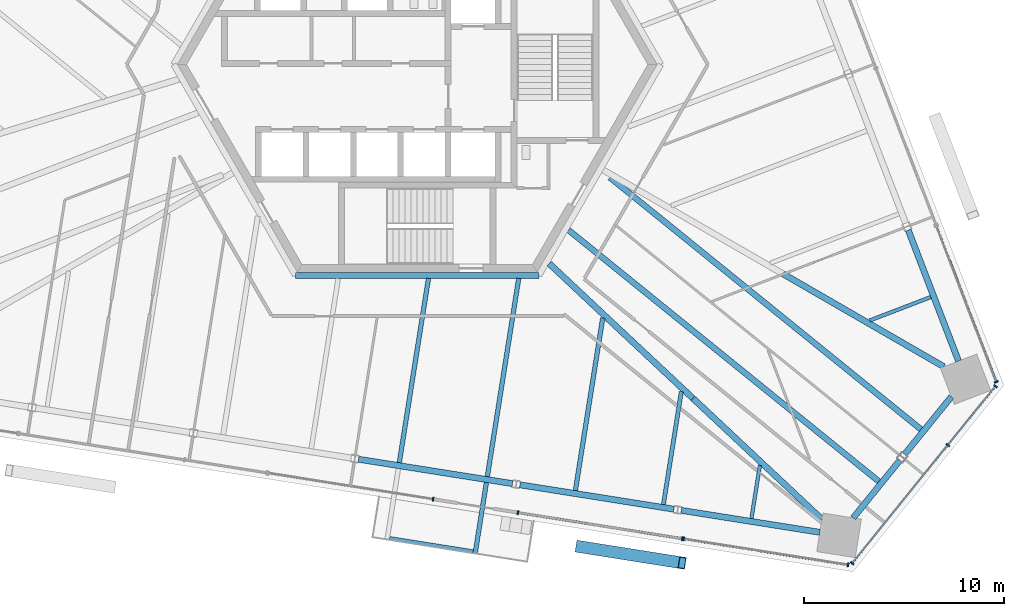
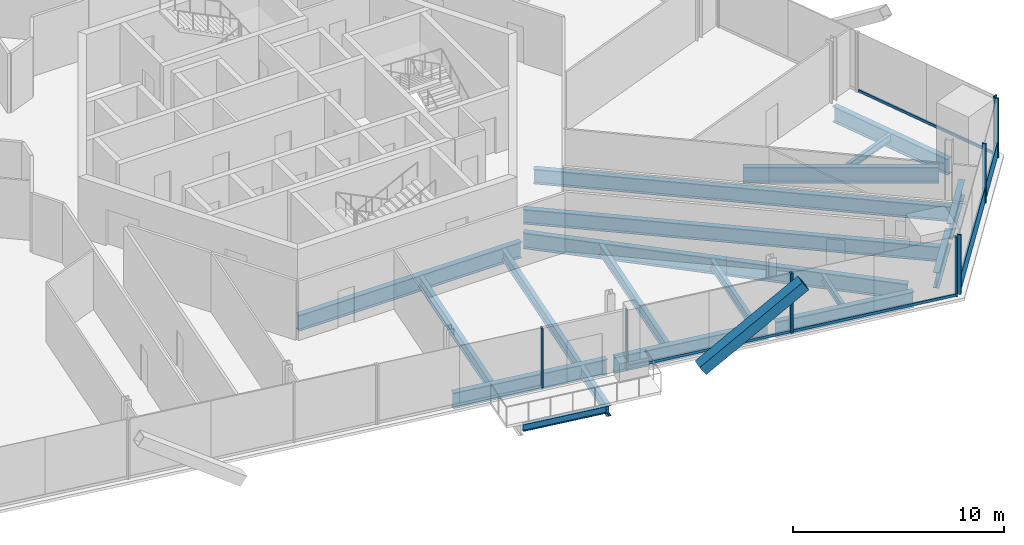
# One storey, part 6 of 19: 20 beams, 15 members, 5 elements without a shape of their own.
"""IFC4 building model written with IfcOpenShell, lengths in metres."""

from ifc_helpers import new_model, si_unit, direction, frame, origin, origin_2d, place, context, subcontext, project, spatial, rectangle, hollow_rectangle, i_section, extrude, source, transform, mapped, material, material_profile, profile_set, type_object, element, aggregate, save


model = new_model("IFC4")

# Units and contexts
model_context = context("Model", 3, precision=1e-05, world=origin(), true_north=direction((0.0, 1.0)))
body_context = subcontext(model_context, "Body", "Model", "MODEL_VIEW")
ifc_project = project(units=[si_unit("LENGTHUNIT", "METRE"), si_unit("AREAUNIT", "SQUARE_METRE"), si_unit("VOLUMEUNIT", "CUBIC_METRE"), si_unit("PLANEANGLEUNIT", "RADIAN"), si_unit("MASSUNIT", "GRAM", prefix="KILO")], contexts=[model_context])

# Site, building, storey
site_placement = place(None, origin())
site = spatial("IfcSite", under=ifc_project, at=site_placement, CompositionType="ELEMENT")
building_placement = place(site_placement, origin())
building = spatial("IfcBuilding", under=site, at=building_placement, Name="Triune Harvest Tower", CompositionType="ELEMENT")
storey_placement = place(building_placement, frame((0.0, 0.0, 164.10009765625)))
storey = spatial("IfcBuildingStorey", under=building, at=storey_placement, Name="L42", CompositionType="ELEMENT", Elevation=164.10009765625)

# Curtain wall, member
ifc_material_1 = material(Name="Aluminium bronze anodised", Category="aluminium")
curtain_wall_type_1 = type_object("IfcCurtainWallType", Name="CW-6 Balcony window wall", PredefinedType="NOTDEFINED", material=ifc_material_1)
curtain_wall_1_placement = place(storey_placement, origin())
curtain_wall_1 = element("IfcCurtainWall", 1, at=curtain_wall_1_placement, inside=storey, type_object=curtain_wall_type_1, Name="CW-6 B4-F1 L42 run 1")
ifc_material_2 = material(Name="Aluminium bronze anodised", Category="aluminium")
ifc_material_profile_1 = material_profile(ifc_material_2, rectangle(XDim=0.090087890625, YDim=0.14990234375, at=origin_2d()), Name="TR-6 transom 90 x 150")
ifc_profile_set_1 = profile_set([ifc_material_profile_1], Name="Aluminium bronze anodised")
member_type_1 = type_object("IfcMemberType", Name="TR-6 transom 90 x 150", PredefinedType="USERDEFINED", material=ifc_profile_set_1)
member_1_placement = place(storey_placement, frame((28.94970703125, -15.839111328125, 0.074951171875), z_axis=(-0.358369438744, 0.933579854846, 0.0), x_axis=(-0.933579854846, -0.358369438744, 0.0)))
member_1 = element("IfcMember", 2, at=member_1_placement, type_object=member_type_1, Name="CW-6 transom B4-F1 1.1", ObjectType="TRANSOM", PredefinedType="USERDEFINED", context=body_context, shape_type="SweptSolid", body=[
    extrude(rectangle(XDim=0.090087890625, YDim=0.14990234375, at=origin_2d()), origin(), (0.0, 0.0, 1.0), 8.266357421875),
])

# Beams
ifc_material_3 = material(Name="Steel ASTM A992 Gr 50", Category="steel")
ifc_material_profile_2 = material_profile(ifc_material_3, i_section(OverallWidth=0.3046875, OverallDepth=0.914306640625, WebThickness=0.0166015625, FlangeThickness=0.02587890625, at=origin_2d()), Name="W36x160")
ifc_profile_set_2 = profile_set([ifc_material_profile_2], Name="Steel ASTM A992 Gr 50")
beam_type_1 = type_object("IfcBeamType", Name="CG-1 Core ring girder W36x160", PredefinedType="BEAM", material=ifc_profile_set_2)
shared_shape_1 = source(origin(), body_context, "Body", "SweptSolid", [
    extrude(i_section(OverallWidth=0.3046875, OverallDepth=0.914306640625, WebThickness=0.0166015625, FlangeThickness=0.02587890625, at=origin_2d()), origin(), (0.0, 0.0, 1.0), 12.17578125),
])
beam_1_placement = place(storey_placement, frame((-6.087890625, -10.544677734375, -0.6171875), z_axis=(1.0, 0.0, 0.0), x_axis=(0.0, 1.0, 0.0)))
element("IfcBeam", 3, at=beam_1_placement, inside=storey, type_object=beam_type_1, Name="beam/L42/CG5", PredefinedType="BEAM", context=body_context, shape_type="MappedRepresentation", body=[
    mapped(shared_shape_1, transform((0.0, 0.0, 0.0), scale=1.0)),
])
ifc_material_4 = material(Name="Steel ASTM A992 Gr 50", Category="steel")
ifc_material_profile_3 = material_profile(ifc_material_4, i_section(OverallWidth=0.307373046875, OverallDepth=0.922119140625, WebThickness=0.018310546875, FlangeThickness=0.030029296875, at=origin_2d()), Name="W36x182")
ifc_profile_set_3 = profile_set([ifc_material_profile_3], Name="Steel ASTM A992 Gr 50")
beam_type_2 = type_object("IfcBeamType", Name="HG-2 Hip girder W36x182", PredefinedType="BEAM", material=ifc_profile_set_3)
shared_shape_2 = source(origin(), body_context, "Body", "SweptSolid", [
    extrude(i_section(OverallWidth=0.307373046875, OverallDepth=0.922119140625, WebThickness=0.018310546875, FlangeThickness=0.030029296875, at=origin_2d()), origin(), (0.0, 0.0, 1.0), 9.85888671875),
])
beam_2_placement = place(storey_placement, frame((13.794189453125, -16.702392578125, -0.62109375), z_axis=(-0.729486233367, 0.683995493646, 0.0), x_axis=(-0.683995493646, -0.729486233367, 0.0)))
element("IfcBeam", 4, at=beam_2_placement, inside=storey, type_object=beam_type_2, Name="beam/L42/HG8", PredefinedType="BEAM", context=body_context, shape_type="MappedRepresentation", body=[
    mapped(shared_shape_2, transform((0.0, 0.0, 0.0), scale=1.0)),
])
ifc_material_5 = material(Name="Steel ASTM A992 Gr 50", Category="steel")
ifc_material_profile_4 = material_profile(ifc_material_5, i_section(OverallWidth=0.3046875, OverallDepth=0.914306640625, WebThickness=0.0166015625, FlangeThickness=0.02587890625, at=origin_2d()), Name="W36x160")
ifc_profile_set_4 = profile_set([ifc_material_profile_4], Name="Steel ASTM A992 Gr 50")
beam_type_3 = type_object("IfcBeamType", Name="SB-1 Spandrel beam W36x160", PredefinedType="SPANDREL", material=ifc_profile_set_4)
shared_shape_3 = source(origin(), body_context, "Body", "SweptSolid", [
    extrude(i_section(OverallWidth=0.3046875, OverallDepth=0.914306640625, WebThickness=0.0166015625, FlangeThickness=0.02587890625, at=origin_2d()), origin(), (0.0, 0.0, 1.0), 7.013427734375),
])
for number, where, z_axis, x_axis, name in (
    (5, (27.07568359375, -14.832275390625, -0.6171875), (-0.358372513984, 0.93357867436, 0.0), (-0.93357867436, -0.358372513984, 0.0), "beam/L42/SB1"),
    (6, (13.210205078125, -22.302978515625, -0.6171875), (0.987687489289, -0.156439839878, 0.0), (0.156439839878, 0.987687489289, 0.0), "beam/L42/SB22"),
):
    element("IfcBeam", number, at=place(storey_placement, frame(where, z_axis=z_axis, x_axis=x_axis)), inside=storey, type_object=beam_type_3, Name=name, PredefinedType="SPANDREL", context=body_context, shape_type="MappedRepresentation", body=[
        mapped(shared_shape_3, transform((0.0, 0.0, 0.0), scale=1.0)),
    ])
shared_shape_4 = source(origin(), body_context, "Body", "SweptSolid", [
    extrude(i_section(OverallWidth=0.3046875, OverallDepth=0.914306640625, WebThickness=0.0166015625, FlangeThickness=0.02587890625, at=origin_2d()), origin(), (0.0, 0.0, 1.0), 3.71240234375),
])
beam_3_placement = place(storey_placement, frame((21.808837890625, -22.677734375, -0.6171875), z_axis=(0.629351453127, 0.777120806855, 0.0), x_axis=(-0.777120806855, 0.629351453127, 0.0)))
element("IfcBeam", 7, at=beam_3_placement, inside=storey, type_object=beam_type_3, Name="beam/L42/SB23", PredefinedType="SPANDREL", context=body_context, shape_type="MappedRepresentation", body=[
    mapped(shared_shape_4, transform((0.0, 0.0, 0.0), scale=1.0)),
])
shared_shape_5 = source(origin(), body_context, "Body", "SweptSolid", [
    extrude(i_section(OverallWidth=0.3046875, OverallDepth=0.914306640625, WebThickness=0.0166015625, FlangeThickness=0.02587890625, at=origin_2d()), origin(), (0.0, 0.0, 1.0), 7.801513671875),
])
beam_4_placement = place(storey_placement, frame((5.135986328125, -21.024169921875, -0.6171875), z_axis=(0.98768800071, -0.156436610974, 0.0), x_axis=(0.156436610974, 0.98768800071, 0.0)))
element("IfcBeam", 8, at=beam_4_placement, inside=storey, type_object=beam_type_3, Name="beam/L42/SB21", PredefinedType="SPANDREL", context=body_context, shape_type="MappedRepresentation", body=[
    mapped(shared_shape_5, transform((0.0, 0.0, 0.0), scale=1.0)),
])
shared_shape_6 = source(origin(), body_context, "Body", "SweptSolid", [
    extrude(i_section(OverallWidth=0.3046875, OverallDepth=0.914306640625, WebThickness=0.0166015625, FlangeThickness=0.02587890625, at=origin_2d()), origin(), (0.0, 0.0, 1.0), 3.712646484375),
])
beam_5_placement = place(storey_placement, frame((24.380126953125, -19.50244140625, -0.6171875), z_axis=(0.629319290748, 0.777146852462, 0.0), x_axis=(-0.777146852462, 0.629319290748, 0.0)))
element("IfcBeam", 9, at=beam_5_placement, inside=storey, type_object=beam_type_3, Name="beam/L42/SB24", PredefinedType="SPANDREL", context=body_context, shape_type="MappedRepresentation", body=[
    mapped(shared_shape_6, transform((0.0, 0.0, 0.0), scale=1.0)),
])
shared_shape_7 = source(origin(), body_context, "Body", "SweptSolid", [
    extrude(i_section(OverallWidth=0.3046875, OverallDepth=0.914306640625, WebThickness=0.0166015625, FlangeThickness=0.02587890625, at=origin_2d()), origin(), (0.0, 0.0, 1.0), 7.80126953125),
])
beam_6_placement = place(storey_placement, frame((-2.938232421875, -19.745361328125, -0.6171875), z_axis=(0.987687234845, -0.15644144631, 0.0), x_axis=(0.15644144631, 0.987687234845, 0.0)))
element("IfcBeam", 10, at=beam_6_placement, inside=storey, type_object=beam_type_3, Name="beam/L42/SB20", PredefinedType="SPANDREL", context=body_context, shape_type="MappedRepresentation", body=[
    mapped(shared_shape_7, transform((0.0, 0.0, 0.0), scale=1.0)),
])
shared_shape_8 = source(origin(), body_context, "Body", "SweptSolid", [
    extrude(i_section(OverallWidth=0.307373046875, OverallDepth=0.922119140625, WebThickness=0.018310546875, FlangeThickness=0.030029296875, at=origin_2d()), origin(), (0.0, 0.0, 1.0), 9.28369140625),
])
beam_7_placement = place(storey_placement, frame((26.33837890625, -15.114990234375, -0.62109375), z_axis=(-0.86602880926, 0.499994101496, 0.0), x_axis=(-0.499994101496, -0.86602880926, 0.0)))
element("IfcBeam", 11, at=beam_7_placement, inside=storey, type_object=beam_type_2, Name="beam/L42/HG1", PredefinedType="BEAM", context=body_context, shape_type="MappedRepresentation", body=[
    mapped(shared_shape_8, transform((0.0, 0.0, 0.0), scale=1.0)),
])
shared_shape_9 = source(origin(), body_context, "Body", "SweptSolid", [
    extrude(i_section(OverallWidth=0.307373046875, OverallDepth=0.922119140625, WebThickness=0.018310546875, FlangeThickness=0.030029296875, at=origin_2d()), origin(), (0.0, 0.0, 1.0), 8.8369140625),
])
beam_8_placement = place(storey_placement, frame((20.24072265625, -22.746826171875, -0.62109375), z_axis=(-0.729491540387, 0.683989833626, 0.0), x_axis=(-0.683989833626, -0.729491540387, 0.0)))
element("IfcBeam", 12, at=beam_8_placement, inside=storey, type_object=beam_type_2, Name="beam/L42/HG7", PredefinedType="BEAM", context=body_context, shape_type="MappedRepresentation", body=[
    mapped(shared_shape_9, transform((0.0, 0.0, 0.0), scale=1.0)),
])
ifc_material_6 = material(Name="Steel ASTM A992 Gr 50", Category="steel")
ifc_material_profile_5 = material_profile(ifc_material_6, i_section(OverallWidth=0.180908203125, OverallDepth=0.41650390625, WebThickness=0.010986328125, FlangeThickness=0.01806640625, at=origin_2d()), Name="W16x57")
ifc_profile_set_5 = profile_set([ifc_material_profile_5], Name="Steel ASTM A992 Gr 50")
beam_type_4 = type_object("IfcBeamType", Name="JT-1 Floor joist W16x57", PredefinedType="JOIST", material=ifc_profile_set_5)
shared_shape_10 = source(origin(), body_context, "Body", "SweptSolid", [
    extrude(i_section(OverallWidth=0.180908203125, OverallDepth=0.41650390625, WebThickness=0.010986328125, FlangeThickness=0.01806640625, at=origin_2d()), origin(), (0.0, 0.0, 1.0), 3.260986328125),
])
beam_9_placement = place(storey_placement, frame((25.684814453125, -11.634033203125, -0.368408203125), z_axis=(-0.933600075775, -0.35831675723, 0.0), x_axis=(0.35831675723, -0.933600075775, 0.0)))
element("IfcBeam", 13, at=beam_9_placement, inside=storey, type_object=beam_type_4, Name="beam/L42/JT1", PredefinedType="JOIST", context=body_context, shape_type="MappedRepresentation", body=[
    mapped(shared_shape_10, transform((0.0, 0.0, 0.0), scale=1.0)),
])
ifc_material_7 = material(Name="Steel ASTM A992 Gr 50", Category="steel")
ifc_material_profile_6 = material_profile(ifc_material_7, i_section(OverallWidth=0.2919921875, OverallDepth=0.8583984375, WebThickness=0.01708984375, FlangeThickness=0.031005859375, at=origin_2d()), Name="W33x169")
ifc_profile_set_6 = profile_set([ifc_material_profile_6], Name="Steel ASTM A992 Gr 50")
beam_type_5 = type_object("IfcBeamType", Name="JT-7 Floor joist W33x169", PredefinedType="JOIST", material=ifc_profile_set_6)
shared_shape_11 = source(origin(), body_context, "Body", "SweptSolid", [
    extrude(i_section(OverallWidth=0.2919921875, OverallDepth=0.8583984375, WebThickness=0.01708984375, FlangeThickness=0.031005859375, at=origin_2d()), origin(), (0.0, 0.0, 1.0), 19.97216796875),
])
beam_10_placement = place(storey_placement, frame((23.090087890625, -20.853515625, -0.58935546875), z_axis=(-0.777140102023, 0.629327626779, 0.0), x_axis=(-0.629327626779, -0.777140102023, 0.0)))
element("IfcBeam", 14, at=beam_10_placement, inside=storey, type_object=beam_type_5, Name="beam/L42/JT35", PredefinedType="JOIST", context=body_context, shape_type="MappedRepresentation", body=[
    mapped(shared_shape_11, transform((0.0, 0.0, 0.0), scale=1.0)),
])
shared_shape_12 = source(origin(), body_context, "Body", "SweptSolid", [
    extrude(i_section(OverallWidth=0.2919921875, OverallDepth=0.8583984375, WebThickness=0.01708984375, FlangeThickness=0.031005859375, at=origin_2d()), origin(), (0.0, 0.0, 1.0), 20.01611328125),
])
beam_11_placement = place(storey_placement, frame((25.198486328125, -18.25, -0.58935546875), z_axis=(-0.777142320664, 0.629324887028, 0.0), x_axis=(-0.629324887028, -0.777142320664, 0.0)))
element("IfcBeam", 15, at=beam_11_placement, inside=storey, type_object=beam_type_5, Name="beam/L42/JT36", PredefinedType="JOIST", context=body_context, shape_type="MappedRepresentation", body=[
    mapped(shared_shape_12, transform((0.0, 0.0, 0.0), scale=1.0)),
])
ifc_material_8 = material(Name="Steel ASTM A992 Gr 50", Category="steel")
ifc_material_profile_7 = material_profile(ifc_material_8, i_section(OverallWidth=0.22900390625, OverallDepth=0.612060546875, WebThickness=0.011962890625, FlangeThickness=0.01953125, at=origin_2d()), Name="W24x84")
ifc_profile_set_7 = profile_set([ifc_material_profile_7], Name="Steel ASTM A992 Gr 50")
beam_type_6 = type_object("IfcBeamType", Name="JT-3 Floor joist W24x84", PredefinedType="JOIST", material=ifc_profile_set_7)
shared_shape_13 = source(origin(), body_context, "Body", "SweptSolid", [
    extrude(i_section(OverallWidth=0.22900390625, OverallDepth=0.612060546875, WebThickness=0.011962890625, FlangeThickness=0.01953125, at=origin_2d()), origin(), (0.0, 0.0, 1.0), 9.332275390625),
])
beam_12_placement = place(storey_placement, frame((-0.896728515625, -19.914306640625, -0.46630859375), z_axis=(0.156417974358, 0.987690952321, 0.0), x_axis=(-0.987690952321, 0.156417974358, 0.0)))
element("IfcBeam", 16, at=beam_12_placement, inside=storey, type_object=beam_type_6, Name="beam/L42/JT30", PredefinedType="JOIST", context=body_context, shape_type="MappedRepresentation", body=[
    mapped(shared_shape_13, transform((0.0, 0.0, 0.0), scale=1.0)),
])
shared_shape_14 = source(origin(), body_context, "Body", "SweptSolid", [
    extrude(i_section(OverallWidth=0.22900390625, OverallDepth=0.612060546875, WebThickness=0.011962890625, FlangeThickness=0.01953125, at=origin_2d()), origin(), (0.0, 0.0, 1.0), 10.03857421875),
])
beam_13_placement = place(storey_placement, frame((3.50732421875, -20.612060546875, -0.46630859375), z_axis=(0.156427136615, 0.987689501276, 0.0), x_axis=(-0.987689501276, 0.156427136615, 0.0)))
element("IfcBeam", 17, at=beam_13_placement, inside=storey, type_object=beam_type_6, Name="beam/L42/JT31", PredefinedType="JOIST", context=body_context, shape_type="MappedRepresentation", body=[
    mapped(shared_shape_14, transform((0.0, 0.0, 0.0), scale=1.0)),
])
shared_shape_15 = source(origin(), body_context, "Body", "SweptSolid", [
    extrude(i_section(OverallWidth=0.22900390625, OverallDepth=0.612060546875, WebThickness=0.011962890625, FlangeThickness=0.01953125, at=origin_2d()), origin(), (0.0, 0.0, 1.0), 8.73828125),
])
beam_14_placement = place(storey_placement, frame((7.91162109375, -21.3095703125, -0.46630859375), z_axis=(0.156433147227, 0.987688549315, 0.0), x_axis=(-0.987688549315, 0.156433147227, 0.0)))
element("IfcBeam", 18, at=beam_14_placement, inside=storey, type_object=beam_type_6, Name="beam/L42/JT32", PredefinedType="JOIST", context=body_context, shape_type="MappedRepresentation", body=[
    mapped(shared_shape_15, transform((0.0, 0.0, 0.0), scale=1.0)),
])
ifc_material_9 = material(Name="Steel ASTM A992 Gr 50", Category="steel")
ifc_material_profile_8 = material_profile(ifc_material_9, i_section(OverallWidth=0.2099609375, OverallDepth=0.535888671875, WebThickness=0.010986328125, FlangeThickness=0.017333984375, at=origin_2d()), Name="W21x68")
ifc_profile_set_8 = profile_set([ifc_material_profile_8], Name="Steel ASTM A992 Gr 50")
beam_type_7 = type_object("IfcBeamType", Name="JT-2 Floor joist W21x68", PredefinedType="JOIST", material=ifc_profile_set_8)
shared_shape_16 = source(origin(), body_context, "Body", "SweptSolid", [
    extrude(i_section(OverallWidth=0.2099609375, OverallDepth=0.535888671875, WebThickness=0.010986328125, FlangeThickness=0.017333984375, at=origin_2d()), origin(), (0.0, 0.0, 1.0), 5.712646484375),
])
beam_15_placement = place(storey_placement, frame((12.315673828125, -22.007080078125, -0.427978515625), z_axis=(0.156458528862, 0.98768452896, 0.0), x_axis=(-0.98768452896, 0.156458528862, 0.0)))
element("IfcBeam", 19, at=beam_15_placement, inside=storey, type_object=beam_type_7, Name="beam/L42/JT33", PredefinedType="JOIST", context=body_context, shape_type="MappedRepresentation", body=[
    mapped(shared_shape_16, transform((0.0, 0.0, 0.0), scale=1.0)),
])
shared_shape_17 = source(origin(), body_context, "Body", "SweptSolid", [
    extrude(i_section(OverallWidth=0.180908203125, OverallDepth=0.41650390625, WebThickness=0.010986328125, FlangeThickness=0.01806640625, at=origin_2d()), origin(), (0.0, 0.0, 1.0), 2.6875),
])
beam_16_placement = place(storey_placement, frame((16.719970703125, -22.70458984375, -0.368408203125), z_axis=(0.156438396813, 0.987687717856, 0.0), x_axis=(-0.987687717856, 0.156438396813, 0.0)))
element("IfcBeam", 20, at=beam_16_placement, inside=storey, type_object=beam_type_4, Name="beam/L42/JT34", PredefinedType="JOIST", context=body_context, shape_type="MappedRepresentation", body=[
    mapped(shared_shape_17, transform((0.0, 0.0, 0.0), scale=1.0)),
])

# Member
ifc_material_10 = material(Name="Steel ASTM A572 Gr 50", Category="steel")
ifc_material_profile_9 = material_profile(ifc_material_10, hollow_rectangle(XDim=0.60009765625, YDim=0.60009765625, WallThickness=0.0400390625, at=origin_2d()), Name="Box 600x600x40")
ifc_profile_set_9 = profile_set([ifc_material_profile_9], Name="Steel ASTM A572 Gr 50")
member_type_2 = type_object("IfcMemberType", Name="BR-2 Brace Box 600x600x40", PredefinedType="BRACE", material=ifc_profile_set_9)
shared_shape_18 = source(origin(), body_context, "Body", "SweptSolid", [
    extrude(hollow_rectangle(XDim=0.60009765625, YDim=0.60009765625, WallThickness=0.0400390625, at=origin_2d()), origin(), (0.0, 0.0, 1.0), 6.3291015625),
])
member_2_placement = place(storey_placement, frame((8.111083984375, -24.116455078125, 0.0), z_axis=(0.812370358073, -0.12864459374, 0.568774972925), x_axis=(0.156408097916, 0.987692516377, 0.0)))
element("IfcMember", 21, at=member_2_placement, inside=storey, type_object=member_type_2, Name="brace/B4-F5/d1/8", PredefinedType="BRACE", context=body_context, shape_type="MappedRepresentation", body=[
    mapped(shared_shape_18, transform((0.0, 0.0, 0.0), scale=1.0)),
])

# Curtain wall, members
ifc_material_11 = material(Name="Aluminium bronze anodised", Category="aluminium")
curtain_wall_type_2 = type_object("IfcCurtainWallType", Name="CW-1 Tower stick curtain wall", PredefinedType="NOTDEFINED", material=ifc_material_11)
curtain_wall_2_placement = place(storey_placement, origin())
curtain_wall_2 = element("IfcCurtainWall", 22, at=curtain_wall_2_placement, inside=storey, type_object=curtain_wall_type_2, Name="CW-1 B4-F6 L42 run 1")
ifc_material_12 = material(Name="Aluminium bronze anodised", Category="aluminium")
ifc_material_profile_10 = material_profile(ifc_material_12, rectangle(XDim=0.199951171875, YDim=0.074951171875, at=origin_2d()), Name="MU-1 mullion 75 x 200")
ifc_profile_set_10 = profile_set([ifc_material_profile_10], Name="Aluminium bronze anodised")
member_type_3 = type_object("IfcMemberType", Name="MU-1 mullion 75 x 200", PredefinedType="MULLION", material=ifc_profile_set_10)
shared_shape_19 = source(origin(), body_context, "Body", "SweptSolid", [
    extrude(rectangle(XDim=0.199951171875, YDim=0.074951171875, at=origin_2d()), origin(), (0.0, 0.0, 1.0), 3.43994140625),
])
member_3_placement = place(storey_placement, frame((21.755126953125, -24.95068359375, 0.0), z_axis=(0.0, 0.0, 1.0), x_axis=(-0.777145544932, 0.629320905414, 0.0)))
member_3 = element("IfcMember", 23, at=member_3_placement, type_object=member_type_3, Name="CW-1 mullion B4-F6 1.1", PredefinedType="MULLION", context=body_context, shape_type="MappedRepresentation", body=[
    mapped(shared_shape_19, transform((0.0, 0.0, 0.0), scale=1.0)),
])
member_4_placement = place(storey_placement, frame((26.54541015625, -19.035400390625, 0.0), z_axis=(0.0, 0.0, 1.0), x_axis=(-0.777145544932, 0.629320905414, 0.0)))
member_4 = element("IfcMember", 24, at=member_4_placement, type_object=member_type_3, Name="CW-1 mullion B4-F6 1.3", PredefinedType="MULLION", context=body_context, shape_type="MappedRepresentation", body=[
    mapped(shared_shape_19, transform((0.0, 0.0, 0.0), scale=1.0)),
])
member_5_placement = place(storey_placement, frame((28.9287109375, -16.09228515625, 0.0), z_axis=(0.0, 0.0, 1.0), x_axis=(-0.777145544932, 0.629320905414, 0.0)))
member_5 = element("IfcMember", 25, at=member_5_placement, type_object=member_type_3, Name="CW-1 mullion B4-F6 1.4", PredefinedType="MULLION", context=body_context, shape_type="MappedRepresentation", body=[
    mapped(shared_shape_19, transform((0.0, 0.0, 0.0), scale=1.0)),
])

# Member
ifc_material_13 = material(Name="Aluminium bronze anodised", Category="aluminium")
ifc_material_profile_11 = material_profile(ifc_material_13, rectangle(XDim=0.199951171875, YDim=0.074951171875, at=origin_2d()), Name="MU-6 mullion 75 x 200")
ifc_profile_set_11 = profile_set([ifc_material_profile_11], Name="Aluminium bronze anodised")
member_type_4 = type_object("IfcMemberType", Name="MU-6 mullion 75 x 200", PredefinedType="MULLION", material=ifc_profile_set_11)
shared_shape_20 = source(origin(), body_context, "Body", "SweptSolid", [
    extrude(rectangle(XDim=0.199951171875, YDim=0.074951171875, at=origin_2d()), origin(), (0.0, 0.0, 1.0), 3.43994140625),
])
member_6_placement = place(storey_placement, frame((28.963134765625, -15.874267578125, 0.0), z_axis=(0.0, 0.0, 1.0), x_axis=(-0.933578692183, -0.358372467556, 0.0)))
member_6 = element("IfcMember", 26, at=member_6_placement, type_object=member_type_4, Name="CW-6 mullion B4-F1 1.1", PredefinedType="MULLION", context=body_context, shape_type="MappedRepresentation", body=[
    mapped(shared_shape_20, transform((0.0, 0.0, 0.0), scale=1.0)),
])

aggregate(curtain_wall_1, [member_6, member_1])

# Curtain wall, member
curtain_wall_3_placement = place(storey_placement, origin())
curtain_wall_3 = element("IfcCurtainWall", 27, at=curtain_wall_3_placement, inside=storey, type_object=curtain_wall_type_1, Name="CW-6 B4-F5 L42 run 2001")
member_7_placement = place(storey_placement, frame((0.792236328125, -21.7421875, 0.0), z_axis=(0.0, 0.0, 1.0), x_axis=(0.156433162316, 0.987688546926, 0.0)))
member_7 = element("IfcMember", 28, at=member_7_placement, type_object=member_type_4, Name="CW-6 mullion B4-F5 2001.3", PredefinedType="MULLION", context=body_context, shape_type="MappedRepresentation", body=[
    mapped(shared_shape_20, transform((0.0, 0.0, 0.0), scale=1.0)),
])
aggregate(curtain_wall_3, [member_7])

# Curtain wall, members
ifc_material_14 = material(Name="Aluminium bronze anodised", Category="aluminium")
curtain_wall_type_3 = type_object("IfcCurtainWallType", Name="CW-10 Balcony window wall with insulated spandrel infill", PredefinedType="NOTDEFINED", material=ifc_material_14)
curtain_wall_4_placement = place(storey_placement, origin())
curtain_wall_4 = element("IfcCurtainWall", 29, at=curtain_wall_4_placement, inside=storey, type_object=curtain_wall_type_3, Name="CW-10 B4-F5 L42 run 2")
member_8_placement = place(storey_placement, frame((5.035400390625, -22.414306640625, 0.0), z_axis=(0.0, 0.0, 1.0), x_axis=(0.15643608021, 0.987688084776, 0.0)))
member_8 = element("IfcMember", 30, at=member_8_placement, type_object=member_type_4, Name="CW-10 mullion B4-F5 2.1", PredefinedType="MULLION", context=body_context, shape_type="MappedRepresentation", body=[
    mapped(shared_shape_20, transform((0.0, 0.0, 0.0), scale=1.0)),
])
member_9_placement = place(storey_placement, frame((13.255126953125, -23.71630859375, 0.0), z_axis=(0.0, 0.0, 1.0), x_axis=(0.15643608021, 0.987688084776, 0.0)))
member_9 = element("IfcMember", 31, at=member_9_placement, type_object=member_type_4, Name="CW-10 mullion B4-F5 2.3", PredefinedType="MULLION", context=body_context, shape_type="MappedRepresentation", body=[
    mapped(shared_shape_20, transform((0.0, 0.0, 0.0), scale=1.0)),
])

curtain_wall_5_placement = place(storey_placement, origin())
curtain_wall_5 = element("IfcCurtainWall", 32, at=curtain_wall_5_placement, inside=storey, type_object=curtain_wall_type_1, Name="CW-6 B4-F5 L42 run 1002")
member_10_placement = place(storey_placement, frame((13.329345703125, -23.72802734375, 0.0), z_axis=(0.0, 0.0, 1.0), x_axis=(0.156433868695, 0.987688435047, 0.0)))
member_10 = element("IfcMember", 33, at=member_10_placement, type_object=member_type_4, Name="CW-6 mullion B4-F5 1002.1", PredefinedType="MULLION", context=body_context, shape_type="MappedRepresentation", body=[
    mapped(shared_shape_20, transform((0.0, 0.0, 0.0), scale=1.0)),
])
member_11_placement = place(storey_placement, frame((21.549072265625, -25.02978515625, 0.0), z_axis=(0.0, 0.0, 1.0), x_axis=(0.156433868695, 0.987688435047, 0.0)))
member_11 = element("IfcMember", 34, at=member_11_placement, type_object=member_type_4, Name="CW-6 mullion B4-F5 1002.3", PredefinedType="MULLION", context=body_context, shape_type="MappedRepresentation", body=[
    mapped(shared_shape_20, transform((0.0, 0.0, 0.0), scale=1.0)),
])

# Beam
ifc_material_15 = material(Name="Steel ASTM A992 Gr 50", Category="steel")
ifc_material_profile_12 = material_profile(ifc_material_15, i_section(OverallWidth=0.22900390625, OverallDepth=0.612060546875, WebThickness=0.011962890625, FlangeThickness=0.01953125, at=origin_2d()), Name="W24x84")
ifc_profile_set_12 = profile_set([ifc_material_profile_12], Name="Steel ASTM A992 Gr 50")
beam_type_8 = type_object("IfcBeamType", Name="BJ-3 Balcony cantilever joist W24x84", PredefinedType="JOIST", material=ifc_profile_set_12)
shared_shape_21 = source(origin(), body_context, "Body", "SweptSolid", [
    extrude(i_section(OverallWidth=0.22900390625, OverallDepth=0.612060546875, WebThickness=0.011962890625, FlangeThickness=0.01953125, at=origin_2d()), origin(), (0.0, 0.0, 1.0), 3.597412109375),
])
beam_17_placement = place(storey_placement, frame((3.459716796875, -20.9130859375, -0.46630859375), z_axis=(-0.156426047682, -0.987689673737, 0.0), x_axis=(0.987689673737, -0.156426047682, 0.0)))
element("IfcBeam", 35, at=beam_17_placement, inside=storey, type_object=beam_type_8, Name="Balcony cantilever joist B4-F5 L42.8a", PredefinedType="JOIST", context=body_context, shape_type="MappedRepresentation", body=[
    mapped(shared_shape_21, transform((0.0, 0.0, 0.0), scale=1.0)),
])

# Member
ifc_material_16 = material(Name="Aluminium bronze anodised", Category="aluminium")
ifc_material_profile_13 = material_profile(ifc_material_16, rectangle(XDim=0.090087890625, YDim=0.89990234375, at=origin_2d()), Name="TR-1 transom 90 x 900")
ifc_profile_set_13 = profile_set([ifc_material_profile_13], Name="Aluminium bronze anodised")
member_type_5 = type_object("IfcMemberType", Name="TR-1 transom 90 x 900", PredefinedType="USERDEFINED", material=ifc_profile_set_13)
shared_shape_22 = source(origin(), body_context, "Body", "SweptSolid", [
    extrude(rectangle(XDim=0.090087890625, YDim=0.89990234375, at=origin_2d()), origin(), (0.0, 0.0, 1.0), 7.53662109375),
])
member_12_placement = place(storey_placement, frame((21.77880859375, -24.921630859375, 0.449951171875), z_axis=(0.629310046563, 0.777154338143, 0.0), x_axis=(-0.777154338143, 0.629310046563, 0.0)))
member_12 = element("IfcMember", 36, at=member_12_placement, type_object=member_type_5, Name="CW-1 transom B4-F6 1.1", ObjectType="TRANSOM", PredefinedType="USERDEFINED", context=body_context, shape_type="MappedRepresentation", body=[
    mapped(shared_shape_22, transform((0.0, 0.0, 0.0), scale=1.0)),
])

shared_shape_23 = source(origin(), body_context, "Body", "SweptSolid", [
    extrude(rectangle(XDim=0.090087890625, YDim=0.89990234375, at=origin_2d()), origin(), (0.0, 0.0, 1.0), 3.712158203125),
])
member_13_placement = place(storey_placement, frame((26.569091796875, -19.00634765625, 0.449951171875), z_axis=(0.629272012567, 0.777185135087, 0.0), x_axis=(-0.777185135087, 0.629272012567, 0.0)))
member_13 = element("IfcMember", 37, at=member_13_placement, type_object=member_type_5, Name="CW-1 transom B4-F6 1.2", ObjectType="TRANSOM", PredefinedType="USERDEFINED", context=body_context, shape_type="MappedRepresentation", body=[
    mapped(shared_shape_23, transform((0.0, 0.0, 0.0), scale=1.0)),
])

aggregate(curtain_wall_2, [member_3, member_4, member_5, member_12, member_13])

# Beam
ifc_material_17 = material(Name="Steel ASTM A992 Gr 50", Category="steel")
ifc_material_profile_14 = material_profile(ifc_material_17, i_section(OverallWidth=0.180908203125, OverallDepth=0.41650390625, WebThickness=0.010986328125, FlangeThickness=0.01806640625, at=origin_2d()), Name="W16x57")
ifc_profile_set_14 = profile_set([ifc_material_profile_14], Name="Steel ASTM A992 Gr 50")
beam_type_9 = type_object("IfcBeamType", Name="BE-1 balcony edge beam W16x57", PredefinedType="BEAM", material=ifc_profile_set_14)
shared_shape_24 = source(origin(), body_context, "Body", "SweptSolid", [
    extrude(i_section(OverallWidth=0.180908203125, OverallDepth=0.41650390625, WebThickness=0.010986328125, FlangeThickness=0.01806640625, at=origin_2d()), origin(), (0.0, 0.0, 1.0), 4.22998046875),
])
beam_18_placement = place(storey_placement, frame((-1.3798828125, -23.697509765625, -0.368408203125), z_axis=(0.987692200965, -0.156410089675, 0.0), x_axis=(0.156410089675, 0.987692200965, 0.0)))
element("IfcBeam", 38, at=beam_18_placement, inside=storey, type_object=beam_type_9, Name="Balcony edge beam B4-F5 L42.8", PredefinedType="BEAM", context=body_context, shape_type="MappedRepresentation", body=[
    mapped(shared_shape_24, transform((0.0, 0.0, 0.0), scale=1.0)),
])

# Member
shared_shape_25 = source(origin(), body_context, "Body", "SweptSolid", [
    extrude(rectangle(XDim=0.090087890625, YDim=0.14990234375, at=origin_2d()), origin(), (0.0, 0.0, 1.0), 8.247314453125),
])
member_14_placement = place(storey_placement, frame((13.3662109375, -23.73388671875, 0.074951171875), z_axis=(0.987690613016, -0.156420116864, 0.0), x_axis=(0.156420116864, 0.987690613016, 0.0)))
member_14 = element("IfcMember", 39, at=member_14_placement, type_object=member_type_1, Name="CW-6 transom B4-F5 1002.1", ObjectType="TRANSOM", PredefinedType="USERDEFINED", context=body_context, shape_type="MappedRepresentation", body=[
    mapped(shared_shape_25, transform((0.0, 0.0, 0.0), scale=1.0)),
])

aggregate(curtain_wall_5, [member_10, member_11, member_14])

shared_shape_26 = source(origin(), body_context, "Body", "SweptSolid", [
    extrude(rectangle(XDim=0.090087890625, YDim=0.14990234375, at=origin_2d()), origin(), (0.0, 0.0, 1.0), 8.2470703125),
])
member_15_placement = place(storey_placement, frame((5.072509765625, -22.420166015625, 0.074951171875), z_axis=(0.987685314581, -0.156453569343, 0.0), x_axis=(0.156453569343, 0.987685314581, 0.0)))
member_15 = element("IfcMember", 40, at=member_15_placement, type_object=member_type_1, Name="CW-10 transom B4-F5 2.1", ObjectType="TRANSOM", PredefinedType="USERDEFINED", context=body_context, shape_type="MappedRepresentation", body=[
    mapped(shared_shape_26, transform((0.0, 0.0, 0.0), scale=1.0)),
])

aggregate(curtain_wall_4, [member_8, member_9, member_15])

save(model, "model.ifc")
